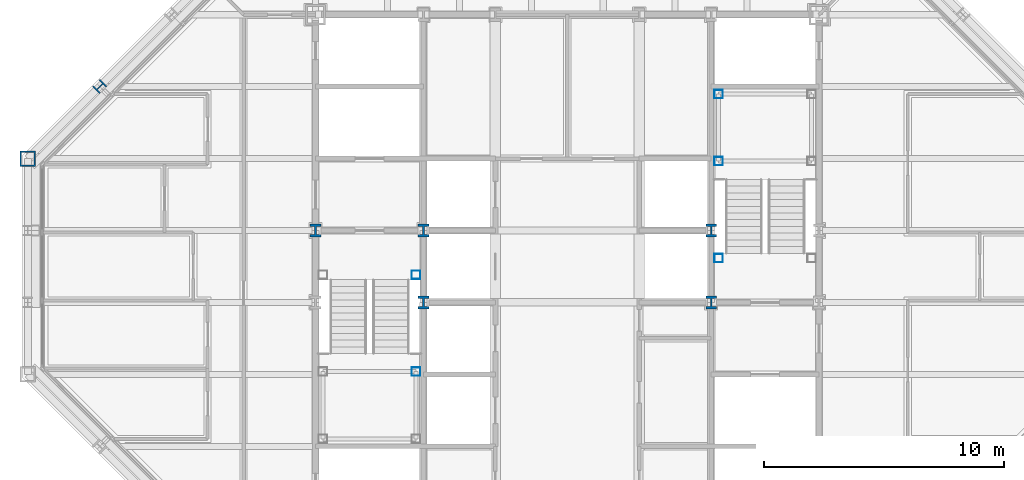
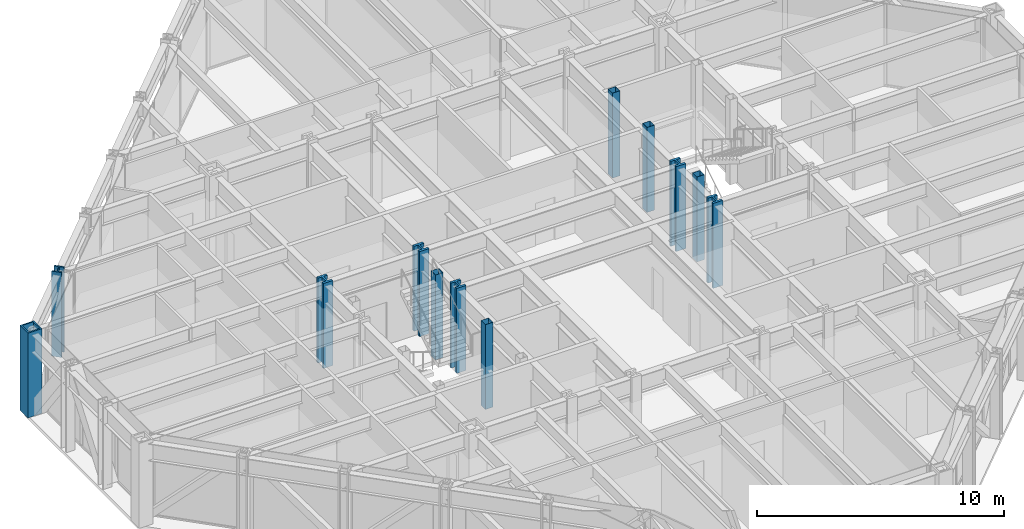
# One storey, part 2 of 15: 12 columns.
"""IFC4 building model written with IfcOpenShell, lengths in metres."""

from ifc_helpers import new_model, si_unit, direction, frame, origin, origin_2d, place, context, subcontext, project, spatial, hollow_rectangle, i_section, extrude, material, material_profile, profile_set, type_object, element, save


model = new_model("IFC4")

# Units and contexts
model_context = context("Model", 3, precision=1e-05, world=origin(), true_north=direction((0.0, 1.0)))
body_context = subcontext(model_context, "Body", "Model", "MODEL_VIEW")
ifc_project = project(units=[si_unit("LENGTHUNIT", "METRE"), si_unit("AREAUNIT", "SQUARE_METRE"), si_unit("VOLUMEUNIT", "CUBIC_METRE"), si_unit("PLANEANGLEUNIT", "RADIAN"), si_unit("MASSUNIT", "GRAM", prefix="KILO")], contexts=[model_context])

# Site, building, storey
site_placement = place(None, origin())
site = spatial("IfcSite", under=ifc_project, at=site_placement, CompositionType="ELEMENT")
building_placement = place(site_placement, origin())
building = spatial("IfcBuilding", under=site, at=building_placement, Name="Chuquiago Exchange Tower", CompositionType="ELEMENT")
storey_placement = place(building_placement, frame((0.0, 0.0, 274.800048828125)))
storey = spatial("IfcBuildingStorey", under=building, at=storey_placement, Name="L61", CompositionType="ELEMENT", Elevation=274.800048828125)

# Columns
ifc_material_1 = material(Name="Steel ASTM A992", Category="steel")
ifc_material_profile_1 = material_profile(ifc_material_1, i_section(OverallWidth=0.449462890625, OverallDepth=0.548583984375, WebThickness=0.07177734375, FlangeThickness=0.11474609375, at=origin_2d()), Name="W14X665")
ifc_profile_set_1 = profile_set([ifc_material_profile_1], Name="Steel ASTM A992")
column_type_1 = type_object("IfcColumnType", Name="CC5 W14X665", PredefinedType="COLUMN", material=ifc_profile_set_1)
for number, where, z_axis, x_axis, name in (
    (1, (12.0, 24.0, 0.0), (0.0, 0.0, 1.0), (1.0, 0.0, 0.0), "CCOL-L61-12_24"),
    (2, (16.5, 21.0, 0.0), (0.0, 0.0, 1.0), (1.0, 0.0, 0.0), "CCOL-L61-16.5_21"),
    (3, (16.5, 24.0, 0.0), (0.0, 0.0, 1.0), (1.0, 0.0, 0.0), "CCOL-L61-16.5_24"),
    (4, (28.5, 21.0, 0.0), (0.0, 0.0, 1.0), (1.0, 0.0, 0.0), "CCOL-L61-28.5_21"),
    (5, (28.5, 24.0, 0.0), (0.0, 0.0, 1.0), (1.0, 0.0, 0.0), "CCOL-L61-28.5_24"),
):
    element("IfcColumn", number, at=place(storey_placement, frame(where, z_axis=z_axis, x_axis=x_axis)), inside=storey, type_object=column_type_1, Name=name, PredefinedType="COLUMN", context=body_context, shape_type="SweptSolid", body=[
        extrude(i_section(OverallWidth=0.449462890625, OverallDepth=0.548583984375, WebThickness=0.07177734375, FlangeThickness=0.11474609375, at=origin_2d()), origin(), (0.0, 0.0, 1.0), 4.199951171875),
    ])
ifc_material_2 = material(Name="Steel ASTM A992", Category="steel")
ifc_material_profile_2 = material_profile(ifc_material_2, i_section(OverallWidth=0.41650390625, OverallDepth=0.444580078125, WebThickness=0.0390625, FlangeThickness=0.062744140625, at=origin_2d()), Name="W14X342")
ifc_profile_set_2 = profile_set([ifc_material_profile_2], Name="Steel ASTM A992")
column_type_2 = type_object("IfcColumnType", Name="CK5 W14X342", PredefinedType="COLUMN", material=ifc_profile_set_2)
column_1_placement = place(storey_placement, frame((3.0, 30.0, 0.0), z_axis=(0.0, 0.0, 1.0), x_axis=(-0.707106781187, 0.707106781187, 0.0)))
element("IfcColumn", 6, at=column_1_placement, inside=storey, type_object=column_type_2, Name="COL-L61-3_30", PredefinedType="COLUMN", context=body_context, shape_type="SweptSolid", body=[
    extrude(i_section(OverallWidth=0.41650390625, OverallDepth=0.444580078125, WebThickness=0.0390625, FlangeThickness=0.062744140625, at=origin_2d()), origin(), (0.0, 0.0, 1.0), 4.199951171875),
])
ifc_material_3 = material(Name="Steel ASTM A572 Grade 50", Category="steel")
ifc_material_profile_3 = material_profile(ifc_material_3, hollow_rectangle(XDim=0.64990234375, YDim=0.64990234375, WallThickness=0.06494140625, at=origin_2d()), Name="BOX650X650X65")
ifc_profile_set_3 = profile_set([ifc_material_profile_3], Name="Steel ASTM A572 Grade 50")
column_type_3 = type_object("IfcColumnType", Name="CN2 BOX650X650X65", PredefinedType="COLUMN", material=ifc_profile_set_3)
column_2_placement = place(storey_placement, frame((0.0, 27.0, 0.0), z_axis=(0.0, 0.0, 1.0), x_axis=(-1.0, 0.0, 0.0)))
element("IfcColumn", 7, at=column_2_placement, inside=storey, type_object=column_type_3, Name="COL-L61-0_27", PredefinedType="COLUMN", context=body_context, shape_type="SweptSolid", body=[
    extrude(hollow_rectangle(XDim=0.64990234375, YDim=0.64990234375, WallThickness=0.06494140625, at=origin_2d()), origin(), (0.0, 0.0, 1.0), 4.199951171875),
])
ifc_material_4 = material(Name="Steel ASTM A500 Grade C", Category="steel")
ifc_material_profile_4 = material_profile(ifc_material_4, hollow_rectangle(XDim=0.355712890625, YDim=0.355712890625, WallThickness=0.0087890625, at=origin_2d()), Name="HSS14X14X3/8")
ifc_profile_set_4 = profile_set([ifc_material_profile_4], Name="Steel ASTM A500 Grade C")
column_type_4 = type_object("IfcColumnType", Name="PT1 HSS14X14X3/8", PredefinedType="COLUMN", material=ifc_profile_set_4)
for number, where, z_axis, x_axis, name in (
    (8, (16.18994140625, 18.110107421875, 0.0), (0.0, 0.0, 1.0), (1.0, 0.0, 0.0), "Stair ST1 L61 landing post"),
    (9, (16.18994140625, 22.14990234375, 0.0), (0.0, 0.0, 1.0), (1.0, 0.0, 0.0), "Stair ST1 L61 landing post"),
    (10, (28.81005859375, 29.68994140625, 0.0), (0.0, 0.0, 1.0), (1.0, 0.0, 0.0), "Stair ST2 L61 landing post"),
    (11, (28.81005859375, 26.889892578125, 0.0), (0.0, 0.0, 1.0), (1.0, 0.0, 0.0), "Stair ST2 L61 landing post"),
    (12, (28.81005859375, 22.85009765625, 0.0), (0.0, 0.0, 1.0), (1.0, 0.0, 0.0), "Stair ST2 L61 landing post"),
):
    element("IfcColumn", number, at=place(storey_placement, frame(where, z_axis=z_axis, x_axis=x_axis)), inside=storey, type_object=column_type_4, Name=name, PredefinedType="COLUMN", context=body_context, shape_type="SweptSolid", body=[
        extrude(hollow_rectangle(XDim=0.355712890625, YDim=0.355712890625, WallThickness=0.0087890625, at=origin_2d()), origin(), (0.0, 0.0, 1.0), 4.199951171875),
    ])

save(model, "model.ifc")
